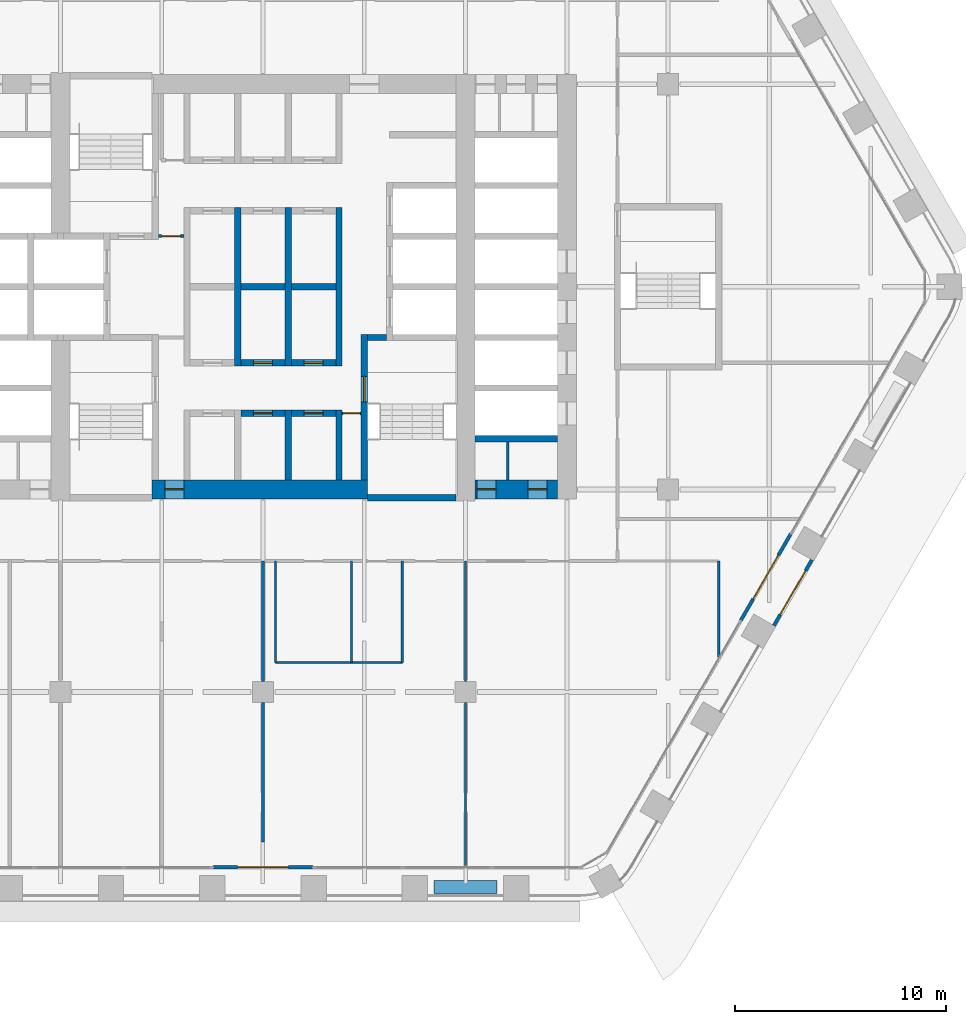
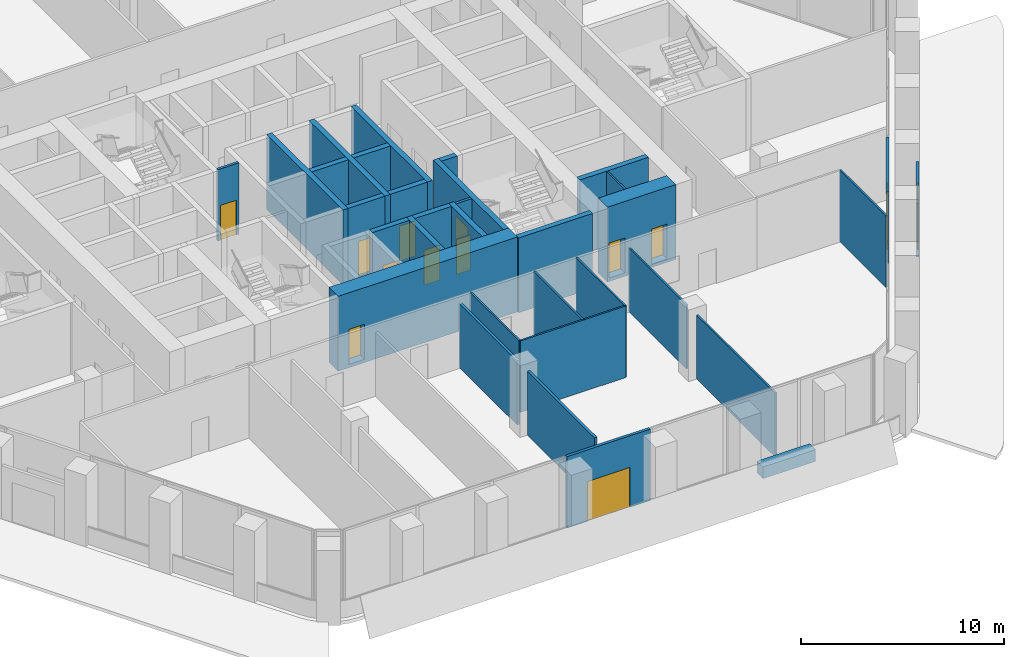
# One storey, part 14 of 23: 33 walls, 13 doors, 13 openings.
"""IFC4 building model written with IfcOpenShell, lengths in metres."""

from ifc_helpers import new_model, si_unit, direction, frame, frame_2d, origin, place, context, subcontext, project, spatial, rectangle, extrude, material, layer, layer_set, type_object, element, fill, save


model = new_model("IFC4")

# Units and contexts
model_context = context("Model", 3, precision=1e-05, world=origin(), true_north=direction((0.0, 1.0)))
body_context = subcontext(model_context, "Body", "Model", "MODEL_VIEW")
ifc_project = project(units=[si_unit("LENGTHUNIT", "METRE"), si_unit("AREAUNIT", "SQUARE_METRE"), si_unit("VOLUMEUNIT", "CUBIC_METRE"), si_unit("PLANEANGLEUNIT", "RADIAN"), si_unit("MASSUNIT", "GRAM", prefix="KILO")], contexts=[model_context])

# Site, building, storey
site_placement = place(None, origin())
site = spatial("IfcSite", under=ifc_project, at=site_placement, CompositionType="ELEMENT")
building_placement = place(site_placement, origin())
building = spatial("IfcBuilding", under=site, at=building_placement, Name="Kolab Exchange Tower", CompositionType="ELEMENT")
storey_placement = place(building_placement, frame((0.0, 0.0, 77.89990234375)))
storey = spatial("IfcBuildingStorey", under=building, at=storey_placement, Name="L14", CompositionType="ELEMENT", Elevation=77.89990234375)

# Wall, opening, door
ifc_material_1 = material(Name="Concrete C70/85", Category="concrete")
ifc_layer_1 = layer(ifc_material_1, 0.89990234375)
ifc_layer_set_1 = layer_set([ifc_layer_1], Name="Concrete C70/85")
wall_type_1 = type_object("IfcWallType", Name="CORE WALL 900 C70/85", PredefinedType="SHEAR", material=ifc_layer_set_1)
wall_1_placement = place(storey_placement, frame((-5.25, -9.60009765625, -0.199951171875), z_axis=(0.0, 0.0, 1.0), x_axis=(1.0, 0.0, 0.0)))
wall_1 = element("IfcWall", 1, at=wall_1_placement, inside=storey, type_object=wall_type_1, Name="wall/L14/core/003", PredefinedType="SHEAR", context=body_context, shape_type="SweptSolid", body=[
    extrude(rectangle(XDim=10.199951171875, YDim=0.89990234375, at=frame_2d((5.10009765625, 0.0))), origin(), (0.0, 0.0, 1.0), 4.5),
])
opening_1_placement = place(wall_1_placement, frame((0.60009765625, 0.0, 0.199951171875)))
opening_1 = element("IfcOpeningElement", 2, at=opening_1_placement, cuts=wall_1, Name="Opening D6-203", PredefinedType="OPENING", context=body_context, shape_type="SweptSolid", body=[
    extrude(rectangle(XDim=0.89990234375, YDim=2.10009765625, at=frame_2d((0.449951171875, 1.050048828125))), frame((0.0, 0.4599609375, 0.0), z_axis=(0.0, -1.0, 0.0), x_axis=(1.0, 0.0, 0.0)), (0.0, 0.0, 1.0), 0.919921875),
])
ifc_material_2 = material(Name="Steel S235", Category="steel")
door_type_1 = type_object("IfcDoorType", Name="CORE DOOR 900 EI 120", OperationType="SINGLE_SWING_LEFT", PredefinedType="DOOR", material=ifc_material_2)
door_1_placement = place(opening_1_placement, origin())
door_1 = element("IfcDoor", 3, at=door_1_placement, inside=storey, type_object=door_type_1, Name="Core lobby door", OperationType="SINGLE_SWING_RIGHT", OverallHeight=2.10009765625, OverallWidth=0.89990234375, PredefinedType="DOOR", context=body_context, shape_type="SweptSolid", body=[
    extrude(rectangle(XDim=0.89990234375, YDim=2.10009765625, at=frame_2d((0.449951171875, 1.050048828125))), frame((0.0, 0.02490234375, 0.0), z_axis=(0.0, -1.0, 0.0), x_axis=(1.0, 0.0, 0.0)), (0.0, 0.0, 1.0), 0.050048828125),
])
fill(opening_1, door_1)

# Wall, openings, doors
wall_2_placement = place(storey_placement, frame((10.050048828125, -9.60009765625, -0.199951171875), z_axis=(0.0, 0.0, 1.0), x_axis=(1.0, 0.0, 0.0)))
wall_2 = element("IfcWall", 4, at=wall_2_placement, inside=storey, type_object=wall_type_1, Name="wall/L14/core/004", PredefinedType="SHEAR", context=body_context, shape_type="SweptSolid", body=[
    extrude(rectangle(XDim=3.89990234375, YDim=0.89990234375, at=frame_2d((1.949951171875, 0.0))), origin(), (0.0, 0.0, 1.0), 4.5),
])
opening_2_placement = place(wall_2_placement, frame((0.10009765625, 0.0, 0.199951171875)))
opening_2 = element("IfcOpeningElement", 5, at=opening_2_placement, cuts=wall_2, Name="Opening D6-207", PredefinedType="OPENING", context=body_context, shape_type="SweptSolid", body=[
    extrude(rectangle(XDim=0.89990234375, YDim=2.10009765625, at=frame_2d((0.449951171875, 1.050048828125))), frame((0.0, 0.4599609375, 0.0), z_axis=(0.0, -1.0, 0.0), x_axis=(1.0, 0.0, 0.0)), (0.0, 0.0, 1.0), 0.919921875),
])
opening_3_placement = place(wall_2_placement, frame((2.5, 0.0, 0.199951171875)))
opening_3 = element("IfcOpeningElement", 6, at=opening_3_placement, cuts=wall_2, Name="Opening D6-208", PredefinedType="OPENING", context=body_context, shape_type="SweptSolid", body=[
    extrude(rectangle(XDim=0.89990234375, YDim=2.10009765625, at=frame_2d((0.449951171875, 1.050048828125))), frame((0.0, 0.4599609375, 0.0), z_axis=(0.0, -1.0, 0.0), x_axis=(1.0, 0.0, 0.0)), (0.0, 0.0, 1.0), 0.919921875),
])
door_2_placement = place(opening_2_placement, origin())
door_2 = element("IfcDoor", 7, at=door_2_placement, inside=storey, type_object=door_type_1, Name="Service room door", OperationType="SINGLE_SWING_RIGHT", OverallHeight=2.10009765625, OverallWidth=0.89990234375, PredefinedType="DOOR", context=body_context, shape_type="SweptSolid", body=[
    extrude(rectangle(XDim=0.89990234375, YDim=2.10009765625, at=frame_2d((0.449951171875, 1.050048828125))), frame((0.0, 0.02490234375, 0.0), z_axis=(0.0, -1.0, 0.0), x_axis=(1.0, 0.0, 0.0)), (0.0, 0.0, 1.0), 0.050048828125),
])
fill(opening_2, door_2)
door_3_placement = place(opening_3_placement, origin())
door_3 = element("IfcDoor", 8, at=door_3_placement, inside=storey, type_object=door_type_1, Name="Service room door", OperationType="SINGLE_SWING_LEFT", OverallHeight=2.10009765625, OverallWidth=0.89990234375, PredefinedType="DOOR", context=body_context, shape_type="SweptSolid", body=[
    extrude(rectangle(XDim=0.89990234375, YDim=2.10009765625, at=frame_2d((0.449951171875, 1.050048828125))), frame((0.0, 0.02490234375, 0.0), z_axis=(0.0, -1.0, 0.0), x_axis=(1.0, 0.0, 0.0)), (0.0, 0.0, 1.0), 0.050048828125),
])
fill(opening_3, door_3)

# Wall, opening, door
ifc_material_3 = material(Name="Aluminium EN AW-6063 T6", Category="aluminium")
ifc_layer_2 = layer(ifc_material_3, 0.159912109375)
ifc_layer_set_2 = layer_set([ifc_layer_2], Name="Aluminium EN AW-6063 T6")
wall_type_2 = type_object("IfcWallType", Name="DOOR SURROUND WALL 160 ALUMINIUM FRAMED", PredefinedType="PARTITIONING", material=ifc_layer_set_2)
wall_3_placement = place(storey_placement, frame((25.0166015625, -11.706787109375, 0.0), z_axis=(0.0, 0.0, 1.0), x_axis=(-0.499978080042, -0.866038058908, 0.0)))
wall_3 = element("IfcWall", 9, at=wall_3_placement, inside=storey, type_object=wall_type_2, Name="Door surround wall", PredefinedType="PARTITIONING", context=body_context, shape_type="SweptSolid", body=[
    extrude(rectangle(XDim=4.739990234375, YDim=0.159912109375, at=frame_2d((2.3701171875, 0.0))), origin(), (0.0, 0.0, 1.0), 4.300048828125),
])
opening_4_placement = place(wall_3_placement, frame((1.169921875, 0.0, 0.0)))
opening_4 = element("IfcOpeningElement", 10, at=opening_4_placement, cuts=wall_3, Name="Opening GD1-036", PredefinedType="OPENING", context=body_context, shape_type="SweptSolid", body=[
    extrude(rectangle(XDim=2.39990234375, YDim=2.39990234375, at=frame_2d((1.199951171875, 1.199951171875))), frame((0.0, 0.08984375, 0.0), z_axis=(0.0, -1.0, 0.0), x_axis=(1.0, 0.0, 0.0)), (0.0, 0.0, 1.0), 0.179931640625),
])
door_type_2 = type_object("IfcDoorType", Name="LOGGIA SLIDING GLASS DOOR 2400 X 2400", OperationType="DOUBLE_DOOR_SINGLE_SWING", PredefinedType="DOOR", material=ifc_material_3)
door_4_placement = place(opening_4_placement, origin())
door_4 = element("IfcDoor", 11, at=door_4_placement, inside=storey, type_object=door_type_2, Name="Loggia door", OperationType="DOUBLE_DOOR_SLIDING", OverallHeight=2.39990234375, OverallWidth=2.39990234375, PredefinedType="DOOR", context=body_context, shape_type="SweptSolid", body=[
    extrude(rectangle(XDim=2.39990234375, YDim=2.39990234375, at=frame_2d((1.199951171875, 1.199951171875))), frame((0.0, 0.02490234375, 0.0), z_axis=(0.0, -1.0, 0.0), x_axis=(1.0, 0.0, 0.0)), (0.0, 0.0, 1.0), 0.050048828125),
])
fill(opening_4, door_4)

wall_4_placement = place(storey_placement, frame((2.3701171875, -27.5185546875, 0.0), z_axis=(0.0, 0.0, 1.0), x_axis=(-1.0, 0.0, 0.0)))
wall_4 = element("IfcWall", 12, at=wall_4_placement, inside=storey, type_object=wall_type_2, Name="Door surround wall", PredefinedType="PARTITIONING", context=body_context, shape_type="SweptSolid", body=[
    extrude(rectangle(XDim=4.740234375, YDim=0.159912109375, at=frame_2d((2.3701171875, 0.0))), origin(), (0.0, 0.0, 1.0), 4.300048828125),
])
opening_5_placement = place(wall_4_placement, frame((1.169921875, 0.0, 0.0)))
opening_5 = element("IfcOpeningElement", 13, at=opening_5_placement, cuts=wall_4, Name="Opening GD1-037", PredefinedType="OPENING", context=body_context, shape_type="SweptSolid", body=[
    extrude(rectangle(XDim=2.39990234375, YDim=2.39990234375, at=frame_2d((1.199951171875, 1.199951171875))), frame((0.0, 0.08984375, 0.0), z_axis=(0.0, -1.0, 0.0), x_axis=(1.0, 0.0, 0.0)), (0.0, 0.0, 1.0), 0.179931640625),
])
door_5_placement = place(opening_5_placement, origin())
door_5 = element("IfcDoor", 14, at=door_5_placement, inside=storey, type_object=door_type_2, Name="Loggia door", OperationType="DOUBLE_DOOR_SLIDING", OverallHeight=2.39990234375, OverallWidth=2.39990234375, PredefinedType="DOOR", context=body_context, shape_type="SweptSolid", body=[
    extrude(rectangle(XDim=2.39990234375, YDim=2.39990234375, at=frame_2d((1.199951171875, 1.199951171875))), frame((0.0, 0.02490234375, 0.0), z_axis=(0.0, -1.0, 0.0), x_axis=(1.0, 0.0, 0.0)), (0.0, 0.0, 1.0), 0.050048828125),
])
fill(opening_5, door_5)

wall_5_placement = place(storey_placement, frame((26.012451171875, -12.942138671875, 0.0), z_axis=(0.0, 0.0, 1.0), x_axis=(-0.500016292001, -0.866015997389, 0.0)))
wall_5 = element("IfcWall", 15, at=wall_5_placement, inside=storey, type_object=wall_type_2, Name="Door surround wall", PredefinedType="PARTITIONING", context=body_context, shape_type="SweptSolid", body=[
    extrude(rectangle(XDim=3.59619140625, YDim=0.159912109375, at=frame_2d((1.798095703125, 0.0))), origin(), (0.0, 0.0, 1.0), 3.2001953125),
])
opening_6_placement = place(wall_5_placement, frame((0.597900390625, 0.0, 0.0)))
opening_6 = element("IfcOpeningElement", 16, at=opening_6_placement, cuts=wall_5, Name="Opening GD1-041", PredefinedType="OPENING", context=body_context, shape_type="SweptSolid", body=[
    extrude(rectangle(XDim=2.39990234375, YDim=2.39990234375, at=frame_2d((1.199951171875, 1.199951171875))), frame((0.0, 0.08984375, 0.0), z_axis=(0.0, -1.0, 0.0), x_axis=(1.0, 0.0, 0.0)), (0.0, 0.0, 1.0), 0.179931640625),
])
door_6_placement = place(opening_6_placement, origin())
door_6 = element("IfcDoor", 17, at=door_6_placement, inside=storey, type_object=door_type_2, Name="Terrace door", OperationType="DOUBLE_DOOR_SLIDING", OverallHeight=2.39990234375, OverallWidth=2.39990234375, PredefinedType="DOOR", context=body_context, shape_type="SweptSolid", body=[
    extrude(rectangle(XDim=2.39990234375, YDim=2.39990234375, at=frame_2d((1.199951171875, 1.199951171875))), frame((0.0, 0.02490234375, 0.0), z_axis=(0.0, -1.0, 0.0), x_axis=(1.0, 0.0, 0.0)), (0.0, 0.0, 1.0), 0.050048828125),
])
fill(opening_6, door_6)

# Wall
ifc_material_4 = material(Name="Concrete C50/60", Category="concrete")
ifc_layer_3 = layer(ifc_material_4, 0.300048828125)
ifc_layer_set_3 = layer_set([ifc_layer_3], Name="Concrete C50/60")
wall_type_3 = type_object("IfcWallType", Name="LIFT SHAFT WALL 300 C50/60", PredefinedType="STANDARD", material=ifc_layer_set_3)
wall_6_placement = place(storey_placement, frame((10.050048828125, -7.199951171875, -0.199951171875), z_axis=(0.0, 0.0, 1.0), x_axis=(1.0, 0.0, 0.0)))
element("IfcWall", 18, at=wall_6_placement, inside=storey, type_object=wall_type_3, Name="wall/L14/core/006", PredefinedType="STANDARD", context=body_context, shape_type="SweptSolid", body=[
    extrude(rectangle(XDim=3.89990234375, YDim=0.300048828125, at=frame_2d((1.949951171875, 0.0))), origin(), (0.0, 0.0, 1.0), 4.5),
])

# Wall, opening, door
wall_7_placement = place(storey_placement, frame((-1.050048828125, -6.0, -0.199951171875), z_axis=(0.0, 0.0, 1.0), x_axis=(1.0, 0.0, 0.0)))
wall_7 = element("IfcWall", 19, at=wall_7_placement, inside=storey, type_object=wall_type_3, Name="wall/L14/core/008", PredefinedType="STANDARD", context=body_context, shape_type="SweptSolid", body=[
    extrude(rectangle(XDim=2.10009765625, YDim=0.300048828125, at=frame_2d((1.050048828125, 0.0))), origin(), (0.0, 0.0, 1.0), 4.5),
])
opening_7_placement = place(wall_7_placement, frame((0.60009765625, 0.0, 0.199951171875)))
opening_7 = element("IfcOpeningElement", 20, at=opening_7_placement, cuts=wall_7, Name="Opening D6-201", PredefinedType="OPENING", context=body_context, shape_type="SweptSolid", body=[
    extrude(rectangle(XDim=0.89990234375, YDim=2.10009765625, at=frame_2d((0.449951171875, 1.050048828125))), frame((0.0, 0.16015625, 0.0), z_axis=(0.0, -1.0, 0.0), x_axis=(1.0, 0.0, 0.0)), (0.0, 0.0, 1.0), 0.320068359375),
])
door_7_placement = place(opening_7_placement, frame((0.89990234375, 0.0, 0.0), z_axis=(0.0, 0.0, 1.0), x_axis=(-1.0, 0.0, 0.0)))
door_7 = element("IfcDoor", 21, at=door_7_placement, inside=storey, type_object=door_type_1, Name="Service room door", OperationType="SINGLE_SWING_LEFT", OverallHeight=2.10009765625, OverallWidth=0.89990234375, PredefinedType="DOOR", context=body_context, shape_type="SweptSolid", body=[
    extrude(rectangle(XDim=0.89990234375, YDim=2.10009765625, at=frame_2d((0.449951171875, 1.050048828125))), frame((0.0, 0.02490234375, 0.0), z_axis=(0.0, -1.0, 0.0), x_axis=(1.0, 0.0, 0.0)), (0.0, 0.0, 1.0), 0.050048828125),
])
fill(opening_7, door_7)

wall_8_placement = place(storey_placement, frame((1.35009765625, -6.0, -0.199951171875), z_axis=(0.0, 0.0, 1.0), x_axis=(1.0, 0.0, 0.0)))
wall_8 = element("IfcWall", 22, at=wall_8_placement, inside=storey, type_object=wall_type_3, Name="wall/L14/core/009", PredefinedType="STANDARD", context=body_context, shape_type="SweptSolid", body=[
    extrude(rectangle(XDim=2.099853515625, YDim=0.300048828125, at=frame_2d((1.0498046875, 0.0))), origin(), (0.0, 0.0, 1.0), 4.5),
])
opening_8_placement = place(wall_8_placement, frame((0.60009765625, 0.0, 0.199951171875)))
opening_8 = element("IfcOpeningElement", 23, at=opening_8_placement, cuts=wall_8, Name="Opening D6-200", PredefinedType="OPENING", context=body_context, shape_type="SweptSolid", body=[
    extrude(rectangle(XDim=0.89990234375, YDim=2.10009765625, at=frame_2d((0.449951171875, 1.050048828125))), frame((0.0, 0.16015625, 0.0), z_axis=(0.0, -1.0, 0.0), x_axis=(1.0, 0.0, 0.0)), (0.0, 0.0, 1.0), 0.320068359375),
])
door_8_placement = place(opening_8_placement, frame((0.89990234375, 0.0, 0.0), z_axis=(0.0, 0.0, 1.0), x_axis=(-1.0, 0.0, 0.0)))
door_8 = element("IfcDoor", 24, at=door_8_placement, inside=storey, type_object=door_type_1, Name="Service room door", OperationType="SINGLE_SWING_RIGHT", OverallHeight=2.10009765625, OverallWidth=0.89990234375, PredefinedType="DOOR", context=body_context, shape_type="SweptSolid", body=[
    extrude(rectangle(XDim=0.89990234375, YDim=2.10009765625, at=frame_2d((0.449951171875, 1.050048828125))), frame((0.0, 0.02490234375, 0.0), z_axis=(0.0, -1.0, 0.0), x_axis=(1.0, 0.0, 0.0)), (0.0, 0.0, 1.0), 0.050048828125),
])
fill(opening_8, door_8)

wall_9_placement = place(storey_placement, frame((-1.050048828125, -3.60009765625, -0.199951171875), z_axis=(0.0, 0.0, 1.0), x_axis=(1.0, 0.0, 0.0)))
wall_9 = element("IfcWall", 25, at=wall_9_placement, inside=storey, type_object=wall_type_3, Name="wall/L14/core/015", PredefinedType="STANDARD", context=body_context, shape_type="SweptSolid", body=[
    extrude(rectangle(XDim=2.10009765625, YDim=0.300048828125, at=frame_2d((1.050048828125, 0.0))), origin(), (0.0, 0.0, 1.0), 4.5),
])
opening_9_placement = place(wall_9_placement, frame((0.60009765625, 0.0, 0.199951171875)))
opening_9 = element("IfcOpeningElement", 26, at=opening_9_placement, cuts=wall_9, Name="Opening D6-198", PredefinedType="OPENING", context=body_context, shape_type="SweptSolid", body=[
    extrude(rectangle(XDim=0.89990234375, YDim=2.10009765625, at=frame_2d((0.449951171875, 1.050048828125))), frame((0.0, 0.16015625, 0.0), z_axis=(0.0, -1.0, 0.0), x_axis=(1.0, 0.0, 0.0)), (0.0, 0.0, 1.0), 0.320068359375),
])
door_9_placement = place(opening_9_placement, origin())
door_9 = element("IfcDoor", 27, at=door_9_placement, inside=storey, type_object=door_type_1, Name="Service room door", OperationType="SINGLE_SWING_RIGHT", OverallHeight=2.10009765625, OverallWidth=0.89990234375, PredefinedType="DOOR", context=body_context, shape_type="SweptSolid", body=[
    extrude(rectangle(XDim=0.89990234375, YDim=2.10009765625, at=frame_2d((0.449951171875, 1.050048828125))), frame((0.0, 0.02490234375, 0.0), z_axis=(0.0, -1.0, 0.0), x_axis=(1.0, 0.0, 0.0)), (0.0, 0.0, 1.0), 0.050048828125),
])
fill(opening_9, door_9)

wall_10_placement = place(storey_placement, frame((1.35009765625, -3.60009765625, -0.199951171875), z_axis=(0.0, 0.0, 1.0), x_axis=(1.0, 0.0, 0.0)))
wall_10 = element("IfcWall", 28, at=wall_10_placement, inside=storey, type_object=wall_type_3, Name="wall/L14/core/016", PredefinedType="STANDARD", context=body_context, shape_type="SweptSolid", body=[
    extrude(rectangle(XDim=2.099853515625, YDim=0.300048828125, at=frame_2d((1.0498046875, 0.0))), origin(), (0.0, 0.0, 1.0), 4.5),
])
opening_10_placement = place(wall_10_placement, frame((0.60009765625, 0.0, 0.199951171875)))
opening_10 = element("IfcOpeningElement", 29, at=opening_10_placement, cuts=wall_10, Name="Opening D6-197", PredefinedType="OPENING", context=body_context, shape_type="SweptSolid", body=[
    extrude(rectangle(XDim=0.89990234375, YDim=2.10009765625, at=frame_2d((0.449951171875, 1.050048828125))), frame((0.0, 0.16015625, 0.0), z_axis=(0.0, -1.0, 0.0), x_axis=(1.0, 0.0, 0.0)), (0.0, 0.0, 1.0), 0.320068359375),
])
door_10_placement = place(opening_10_placement, origin())
door_10 = element("IfcDoor", 30, at=door_10_placement, inside=storey, type_object=door_type_1, Name="Service room door", OperationType="SINGLE_SWING_RIGHT", OverallHeight=2.10009765625, OverallWidth=0.89990234375, PredefinedType="DOOR", context=body_context, shape_type="SweptSolid", body=[
    extrude(rectangle(XDim=0.89990234375, YDim=2.10009765625, at=frame_2d((0.449951171875, 1.050048828125))), frame((0.0, 0.02490234375, 0.0), z_axis=(0.0, -1.0, 0.0), x_axis=(1.0, 0.0, 0.0)), (0.0, 0.0, 1.0), 0.050048828125),
])
fill(opening_10, door_10)

# Walls
wall_11_placement = place(storey_placement, frame((-1.050048828125, 0.0, -0.199951171875), z_axis=(0.0, 0.0, 1.0), x_axis=(1.0, 0.0, 0.0)))
element("IfcWall", 31, at=wall_11_placement, inside=storey, type_object=wall_type_3, Name="wall/L14/core/027", PredefinedType="STANDARD", context=body_context, shape_type="SweptSolid", body=[
    extrude(rectangle(XDim=2.10009765625, YDim=0.300048828125, at=frame_2d((1.050048828125, 0.0))), origin(), (0.0, 0.0, 1.0), 4.5),
])
wall_12_placement = place(storey_placement, frame((1.35009765625, 0.0, -0.199951171875), z_axis=(0.0, 0.0, 1.0), x_axis=(1.0, 0.0, 0.0)))
element("IfcWall", 32, at=wall_12_placement, inside=storey, type_object=wall_type_3, Name="wall/L14/core/028", PredefinedType="STANDARD", context=body_context, shape_type="SweptSolid", body=[
    extrude(rectangle(XDim=2.099853515625, YDim=0.300048828125, at=frame_2d((1.0498046875, 0.0))), origin(), (0.0, 0.0, 1.0), 4.5),
])
wall_13_placement = place(storey_placement, frame((-1.199951171875, -3.75, -0.199951171875), z_axis=(0.0, 0.0, 1.0), x_axis=(0.0, 1.0, 0.0)))
element("IfcWall", 33, at=wall_13_placement, inside=storey, type_object=wall_type_3, Name="wall/L14/core/070", PredefinedType="STANDARD", context=body_context, shape_type="SweptSolid", body=[
    extrude(rectangle(XDim=7.5, YDim=0.300048828125, at=frame_2d((3.75, 0.0))), origin(), (0.0, 0.0, 1.0), 4.5),
])
wall_14_placement = place(storey_placement, frame((1.199951171875, -9.14990234375, -0.199951171875), z_axis=(0.0, 0.0, 1.0), x_axis=(0.0, 1.0, 0.0)))
element("IfcWall", 34, at=wall_14_placement, inside=storey, type_object=wall_type_3, Name="wall/L14/core/072", PredefinedType="STANDARD", context=body_context, shape_type="SweptSolid", body=[
    extrude(rectangle(XDim=3.2998046875, YDim=0.300048828125, at=frame_2d((1.64990234375, 0.0))), origin(), (0.0, 0.0, 1.0), 4.5),
])
wall_15_placement = place(storey_placement, frame((1.199951171875, -3.75, -0.199951171875), z_axis=(0.0, 0.0, 1.0), x_axis=(0.0, 1.0, 0.0)))
element("IfcWall", 35, at=wall_15_placement, inside=storey, type_object=wall_type_3, Name="wall/L14/core/073", PredefinedType="STANDARD", context=body_context, shape_type="SweptSolid", body=[
    extrude(rectangle(XDim=7.5, YDim=0.300048828125, at=frame_2d((3.75, 0.0))), origin(), (0.0, 0.0, 1.0), 4.5),
])
wall_16_placement = place(storey_placement, frame((3.60009765625, -9.14990234375, -0.199951171875), z_axis=(0.0, 0.0, 1.0), x_axis=(0.0, 1.0, 0.0)))
element("IfcWall", 36, at=wall_16_placement, inside=storey, type_object=wall_type_3, Name="wall/L14/core/075", PredefinedType="STANDARD", context=body_context, shape_type="SweptSolid", body=[
    extrude(rectangle(XDim=3.2998046875, YDim=0.300048828125, at=frame_2d((1.64990234375, 0.0))), origin(), (0.0, 0.0, 1.0), 4.5),
])
wall_17_placement = place(storey_placement, frame((3.60009765625, -3.75, -0.199951171875), z_axis=(0.0, 0.0, 1.0), x_axis=(0.0, 1.0, 0.0)))
element("IfcWall", 37, at=wall_17_placement, inside=storey, type_object=wall_type_3, Name="wall/L14/core/076", PredefinedType="STANDARD", context=body_context, shape_type="SweptSolid", body=[
    extrude(rectangle(XDim=7.5, YDim=0.300048828125, at=frame_2d((3.75, 0.0))), origin(), (0.0, 0.0, 1.0), 4.5),
])
ifc_material_5 = material(Name="Gypsum board", Category="gypsum")
ifc_layer_4 = layer(ifc_material_5, 0.10009765625)
ifc_layer_set_4 = layer_set([ifc_layer_4], Name="Gypsum board")
wall_type_4 = type_object("IfcWallType", Name="PARTITION 100", PredefinedType="PARTITIONING", material=ifc_layer_set_4)
wall_18_placement = place(storey_placement, frame((21.60009765625, -17.544677734375, 0.0), z_axis=(0.0, 0.0, 1.0), x_axis=(0.0, 1.0, 0.0)))
element("IfcWall", 38, at=wall_18_placement, inside=storey, type_object=wall_type_4, Name="Partition 000", PredefinedType="PARTITIONING", context=body_context, shape_type="SweptSolid", body=[
    extrude(rectangle(XDim=4.544677734375, YDim=0.10009765625, at=frame_2d((2.2724609375, 0.0))), origin(), (0.0, 0.0, 1.0), 4.300048828125),
])
wall_19_placement = place(storey_placement, frame((11.60009765625, -9.14990234375, 0.0), z_axis=(0.0, 0.0, 1.0), x_axis=(0.0, 1.0, 0.0)))
element("IfcWall", 39, at=wall_19_placement, inside=storey, type_object=wall_type_4, Name="Partition 005", PredefinedType="PARTITIONING", context=body_context, shape_type="SweptSolid", body=[
    extrude(rectangle(XDim=1.7998046875, YDim=0.10009765625, at=frame_2d((0.89990234375, 0.0))), origin(), (0.0, 0.0, 1.0), 4.300048828125),
])
wall_20_placement = place(storey_placement, frame((9.60009765625, -27.428466796875, 0.0), z_axis=(0.0, 0.0, 1.0), x_axis=(0.0, 1.0, 0.0)))
element("IfcWall", 40, at=wall_20_placement, inside=storey, type_object=wall_type_4, Name="Partition 007", PredefinedType="PARTITIONING", context=body_context, shape_type="SweptSolid", body=[
    extrude(rectangle(XDim=7.728515625, YDim=0.10009765625, at=frame_2d((3.8642578125, 0.0))), origin(), (0.0, 0.0, 1.0), 3.843017578125),
])
wall_21_placement = place(storey_placement, frame((9.60009765625, -18.699951171875, 0.0), z_axis=(0.0, 0.0, 1.0), x_axis=(0.0, 1.0, 0.0)))
element("IfcWall", 41, at=wall_21_placement, inside=storey, type_object=wall_type_4, Name="Partition 008", PredefinedType="PARTITIONING", context=body_context, shape_type="SweptSolid", body=[
    extrude(rectangle(XDim=5.699951171875, YDim=0.10009765625, at=frame_2d((2.85009765625, 0.0))), origin(), (0.0, 0.0, 1.0), 3.843017578125),
])
for number, where, z_axis, x_axis, name in (
    (42, (6.60009765625, -17.800048828125, 0.0), (0.0, 0.0, 1.0), (0.0, 1.0, 0.0), "Partition 011"),
    (43, (4.199951171875, -17.800048828125, 0.0), (0.0, 0.0, 1.0), (0.0, 1.0, 0.0), "Partition 012"),
    (44, (0.60009765625, -17.800048828125, 0.0), (0.0, 0.0, 1.0), (0.0, 1.0, 0.0), "Partition 013"),
):
    element("IfcWall", number, at=place(storey_placement, frame(where, z_axis=z_axis, x_axis=x_axis)), inside=storey, type_object=wall_type_4, Name=name, PredefinedType="PARTITIONING", context=body_context, shape_type="SweptSolid", body=[
        extrude(rectangle(XDim=4.800048828125, YDim=0.10009765625, at=frame_2d((2.39990234375, 0.0))), origin(), (0.0, 0.0, 1.0), 4.300048828125),
    ])
wall_22_placement = place(storey_placement, frame((0.60009765625, -17.800048828125, 0.0), z_axis=(0.0, 0.0, 1.0), x_axis=(1.0, 0.0, 0.0)))
element("IfcWall", 45, at=wall_22_placement, inside=storey, type_object=wall_type_4, Name="Partition 033", PredefinedType="PARTITIONING", context=body_context, shape_type="SweptSolid", body=[
    extrude(rectangle(XDim=6.0, YDim=0.10009765625, at=frame_2d((3.0, 0.0))), origin(), (0.0, 0.0, 1.0), 4.300048828125),
])
ifc_layer_5 = layer(ifc_material_5, 0.14990234375)
ifc_layer_set_5 = layer_set([ifc_layer_5], Name="Gypsum board")
wall_type_5 = type_object("IfcWallType", Name="PARTITION 150 FIRE-RATED", PredefinedType="PARTITIONING", material=ifc_layer_set_5)
wall_23_placement = place(storey_placement, frame((0.0, -26.318603515625, 0.0), z_axis=(0.0, 0.0, 1.0), x_axis=(0.0, 1.0, 0.0)))
element("IfcWall", 46, at=wall_23_placement, inside=storey, type_object=wall_type_5, Name="Partition 014", PredefinedType="PARTITIONING", context=body_context, shape_type="SweptSolid", body=[
    extrude(rectangle(XDim=6.61865234375, YDim=0.14990234375, at=frame_2d((3.309326171875, 0.0))), origin(), (0.0, 0.0, 1.0), 3.843017578125),
])
wall_24_placement = place(storey_placement, frame((0.0, -18.699951171875, 0.0), z_axis=(0.0, 0.0, 1.0), x_axis=(0.0, 1.0, 0.0)))
element("IfcWall", 47, at=wall_24_placement, inside=storey, type_object=wall_type_5, Name="Partition 015", PredefinedType="PARTITIONING", context=body_context, shape_type="SweptSolid", body=[
    extrude(rectangle(XDim=5.699951171875, YDim=0.14990234375, at=frame_2d((2.85009765625, 0.0))), origin(), (0.0, 0.0, 1.0), 3.843017578125),
])

# Wall, opening, door
wall_25_placement = place(storey_placement, frame((3.75, -6.0, 0.0), z_axis=(0.0, 0.0, 1.0), x_axis=(1.0, 0.0, 0.0)))
wall_25 = element("IfcWall", 48, at=wall_25_placement, inside=storey, type_object=wall_type_5, Name="Partition 039", PredefinedType="PARTITIONING", context=body_context, shape_type="SweptSolid", body=[
    extrude(rectangle(XDim=0.89990234375, YDim=0.14990234375, at=frame_2d((0.449951171875, 0.0))), origin(), (0.0, 0.0, 1.0), 4.300048828125),
])
opening_11_placement = place(wall_25_placement, frame((0.050048828125, 0.0, 0.0)))
opening_11 = element("IfcOpeningElement", 49, at=opening_11_placement, cuts=wall_25, Name="Opening D7-019", PredefinedType="OPENING", context=body_context, shape_type="SweptSolid", body=[
    extrude(rectangle(XDim=0.800048828125, YDim=2.10009765625, at=frame_2d((0.39990234375, 1.050048828125))), frame((0.0, 0.0849609375, 0.0), z_axis=(0.0, -1.0, 0.0), x_axis=(1.0, 0.0, 0.0)), (0.0, 0.0, 1.0), 0.169921875),
])
door_type_3 = type_object("IfcDoorType", Name="FLUSH DOOR 800 FD60", OperationType="SINGLE_SWING_LEFT", PredefinedType="DOOR", material=ifc_material_2)
door_11_placement = place(opening_11_placement, frame((0.800048828125, 0.0, 0.0), z_axis=(0.0, 0.0, 1.0), x_axis=(-1.0, 0.0, 0.0)))
door_11 = element("IfcDoor", 50, at=door_11_placement, inside=storey, type_object=door_type_3, Name="Door L14-043", OperationType="SINGLE_SWING_RIGHT", OverallHeight=2.10009765625, OverallWidth=0.800048828125, PredefinedType="DOOR", context=body_context, shape_type="SweptSolid", body=[
    extrude(rectangle(XDim=0.800048828125, YDim=2.10009765625, at=frame_2d((0.39990234375, 1.050048828125))), frame((0.0, 0.02490234375, 0.0), z_axis=(0.0, -1.0, 0.0), x_axis=(1.0, 0.0, 0.0)), (0.0, 0.0, 1.0), 0.050048828125),
])
fill(opening_11, door_11)

wall_26_placement = place(storey_placement, frame((-4.949951171875, 2.39990234375, 0.0), z_axis=(0.0, 0.0, 1.0), x_axis=(1.0, 0.0, 0.0)))
wall_26 = element("IfcWall", 51, at=wall_26_placement, inside=storey, type_object=wall_type_5, Name="Fire partition", PredefinedType="PARTITIONING", context=body_context, shape_type="SweptSolid", body=[
    extrude(rectangle(XDim=1.199951171875, YDim=0.14990234375, at=frame_2d((0.60009765625, 0.0))), origin(), (0.0, 0.0, 1.0), 4.300048828125),
])
opening_12_placement = place(wall_26_placement, frame((0.14990234375, 0.0, 0.0)))
opening_12 = element("IfcOpeningElement", 52, at=opening_12_placement, cuts=wall_26, Name="Opening D6-204", PredefinedType="OPENING", context=body_context, shape_type="SweptSolid", body=[
    extrude(rectangle(XDim=0.89990234375, YDim=2.10009765625, at=frame_2d((0.449951171875, 1.050048828125))), frame((0.0, 0.0849609375, 0.0), z_axis=(0.0, -1.0, 0.0), x_axis=(1.0, 0.0, 0.0)), (0.0, 0.0, 1.0), 0.169921875),
])
door_12_placement = place(opening_12_placement, frame((0.89990234375, 0.0, 0.0), z_axis=(0.0, 0.0, 1.0), x_axis=(-1.0, 0.0, 0.0)))
door_12 = element("IfcDoor", 53, at=door_12_placement, inside=storey, type_object=door_type_1, Name="Firefighting lobby door", OperationType="SINGLE_SWING_RIGHT", OverallHeight=2.10009765625, OverallWidth=0.89990234375, PredefinedType="DOOR", context=body_context, shape_type="SweptSolid", body=[
    extrude(rectangle(XDim=0.89990234375, YDim=2.10009765625, at=frame_2d((0.449951171875, 1.050048828125))), frame((0.0, 0.02490234375, 0.0), z_axis=(0.0, -1.0, 0.0), x_axis=(1.0, 0.0, 0.0)), (0.0, 0.0, 1.0), 0.050048828125),
])
fill(opening_12, door_12)

# Walls
ifc_material_6 = material(Name="Granite facing", Category="masonry")
ifc_layer_6 = layer(ifc_material_6, 0.0400390625)
ifc_material_7 = material(Name="Concrete C40/50 precast", Category="concrete")
ifc_layer_7 = layer(ifc_material_7, 0.56005859375)
ifc_layer_set_6 = layer_set([ifc_layer_6, ifc_layer_7], Name="Concrete C40/50 precast")
wall_type_6 = type_object("IfcWallType", Name="PLANTER BOX 600 X 700 SOIL DEPTH 550", PredefinedType="USERDEFINED", material=ifc_layer_set_6)
wall_27_placement = place(storey_placement, frame((11.10009765625, -28.448486328125, 0.0), z_axis=(0.0, 0.0, 1.0), x_axis=(-1.0, 0.0, 0.0)))
element("IfcWall", 54, at=wall_27_placement, inside=storey, type_object=wall_type_6, Name="Planter", ObjectType="PLANTER", PredefinedType="USERDEFINED", context=body_context, shape_type="SweptSolid", body=[
    extrude(rectangle(XDim=3.0, YDim=0.60009765625, at=frame_2d((1.5, 0.0))), origin(), (0.0, 0.0, 1.0), 0.7001953125),
])
ifc_layer_8 = layer(ifc_material_4, 0.300048828125)
ifc_layer_set_7 = layer_set([ifc_layer_8], Name="Concrete C50/60")
wall_type_7 = type_object("IfcWallType", Name="STAIR ENCLOSURE WALL 300 C50/60", PredefinedType="STANDARD", material=ifc_layer_set_7)
wall_28_placement = place(storey_placement, frame((4.949951171875, -10.0, -0.199951171875), z_axis=(0.0, 0.0, 1.0), x_axis=(1.0, 0.0, 0.0)))
element("IfcWall", 55, at=wall_28_placement, inside=storey, type_object=wall_type_7, Name="wall/L14/core/001", PredefinedType="STANDARD", context=body_context, shape_type="SweptSolid", body=[
    extrude(rectangle(XDim=4.199951171875, YDim=0.300048828125, at=frame_2d((2.10009765625, 0.0))), origin(), (0.0, 0.0, 1.0), 4.5),
])
wall_29_placement = place(storey_placement, frame((4.949951171875, -2.39990234375, -0.199951171875), z_axis=(0.0, 0.0, 1.0), x_axis=(1.0, 0.0, 0.0)))
element("IfcWall", 56, at=wall_29_placement, inside=storey, type_object=wall_type_7, Name="wall/L14/core/021", PredefinedType="STANDARD", context=body_context, shape_type="SweptSolid", body=[
    extrude(rectangle(XDim=0.900146484375, YDim=0.300048828125, at=frame_2d((0.4501953125, 0.0))), origin(), (0.0, 0.0, 1.0), 4.5),
])

# Wall, opening, door
wall_30_placement = place(storey_placement, frame((4.800048828125, -9.14990234375, -0.199951171875), z_axis=(0.0, 0.0, 1.0), x_axis=(0.0, 1.0, 0.0)))
wall_30 = element("IfcWall", 57, at=wall_30_placement, inside=storey, type_object=wall_type_7, Name="wall/L14/core/078", PredefinedType="STANDARD", context=body_context, shape_type="SweptSolid", body=[
    extrude(rectangle(XDim=6.89990234375, YDim=0.300048828125, at=frame_2d((3.449951171875, 0.0))), origin(), (0.0, 0.0, 1.0), 4.5),
])
opening_13_placement = place(wall_30_placement, frame((3.699951171875, 0.0, 0.199951171875)))
opening_13 = element("IfcOpeningElement", 58, at=opening_13_placement, cuts=wall_30, Name="Opening D4-045", PredefinedType="OPENING", context=body_context, shape_type="SweptSolid", body=[
    extrude(rectangle(XDim=1.199951171875, YDim=2.10009765625, at=frame_2d((0.60009765625, 1.050048828125))), frame((0.0, 0.16015625, 0.0), z_axis=(0.0, -1.0, 0.0), x_axis=(1.0, 0.0, 0.0)), (0.0, 0.0, 1.0), 0.320068359375),
])
door_type_4 = type_object("IfcDoorType", Name="STAIR DOOR 1200 EI 120", OperationType="SINGLE_SWING_LEFT", PredefinedType="DOOR", material=ifc_material_2)
door_13_placement = place(opening_13_placement, frame((1.199951171875, 0.0, 0.0), z_axis=(0.0, 0.0, 1.0), x_axis=(-1.0, 0.0, 0.0)))
door_13 = element("IfcDoor", 59, at=door_13_placement, inside=storey, type_object=door_type_4, Name="Stair 2 door", OperationType="SINGLE_SWING_RIGHT", OverallHeight=2.10009765625, OverallWidth=1.199951171875, PredefinedType="DOOR", context=body_context, shape_type="SweptSolid", body=[
    extrude(rectangle(XDim=1.199951171875, YDim=2.10009765625, at=frame_2d((0.60009765625, 1.050048828125))), frame((0.0, 0.02490234375, 0.0), z_axis=(0.0, -1.0, 0.0), x_axis=(1.0, 0.0, 0.0)), (0.0, 0.0, 1.0), 0.050048828125),
])
fill(opening_13, door_13)

save(model, "model.ifc")
